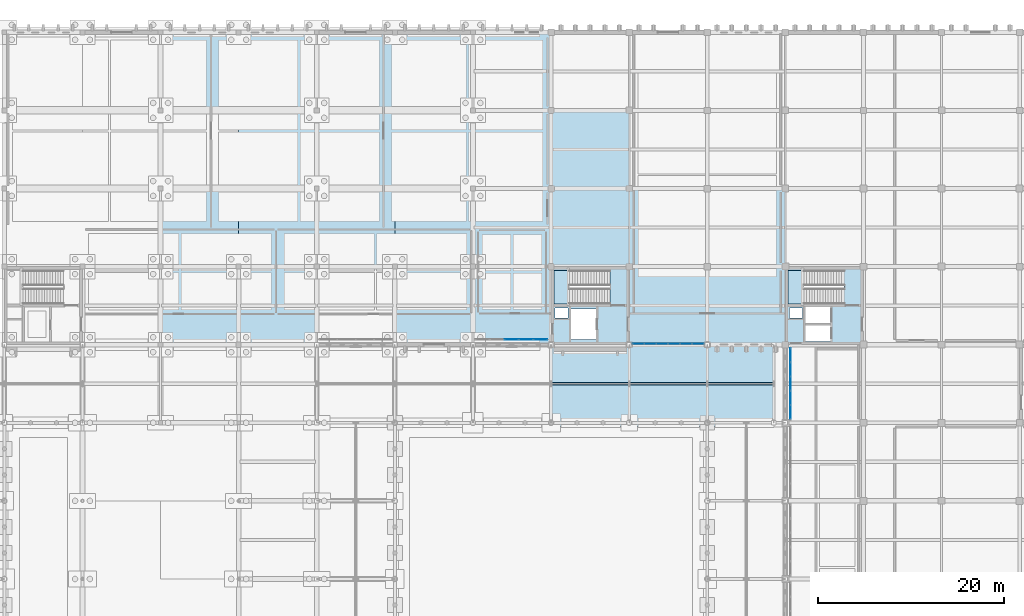
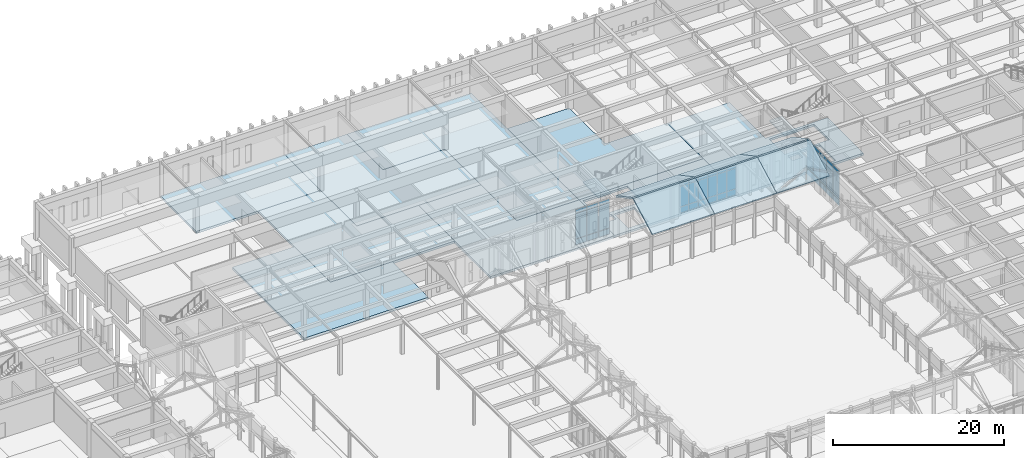
# One storey, part 78 of 143: 42 plates, 17 slabs, 5 elements without a shape of their own.
"""IFC4 building model written with IfcOpenShell, lengths in metres."""

from ifc_helpers import new_model, si_unit, direction, frame, origin, origin_2d, place, context, subcontext, project, spatial, polyline, rectangle, outline, extrude, material, layer, layer_set, type_object, element, aggregate, save


model = new_model("IFC4")

# Units and contexts
model_context = context("Model", 3, precision=1e-05, world=origin(), true_north=direction((0.0, 1.0)))
body_context = subcontext(model_context, "Body", "Model", "MODEL_VIEW")
ifc_project = project(units=[si_unit("LENGTHUNIT", "METRE"), si_unit("AREAUNIT", "SQUARE_METRE"), si_unit("VOLUMEUNIT", "CUBIC_METRE"), si_unit("PLANEANGLEUNIT", "RADIAN"), si_unit("MASSUNIT", "GRAM", prefix="KILO")], contexts=[model_context])

# Site, building, storey
site_placement = place(None, origin())
site = spatial("IfcSite", under=ifc_project, at=site_placement, CompositionType="ELEMENT")
building_placement = place(site_placement, origin())
building = spatial("IfcBuilding", under=site, at=building_placement, Name="Kveldsbrygga Polytechnic", CompositionType="ELEMENT")
storey_placement = place(building_placement, origin())
storey = spatial("IfcBuildingStorey", under=building, at=storey_placement, Name="L00", CompositionType="ELEMENT", Elevation=0.0)

# Curtain wall, plates
ifc_material_1 = material(Name="Anodised aluminium AW-6060", Category="aluminium")
ifc_layer_1 = layer(ifc_material_1, 0.18994140625)
ifc_layer_set_1 = layer_set([ifc_layer_1], Name="Anodised aluminium AW-6060")
curtain_wall_type_1 = type_object("IfcCurtainWallType", Name="CW-REFC-G", PredefinedType="USERDEFINED", material=ifc_layer_set_1)
curtain_wall_1_placement = place(storey_placement, origin())
curtain_wall_1 = element("IfcCurtainWall", 1, at=curtain_wall_1_placement, inside=storey, type_object=curtain_wall_type_1, Name="Curtain Wall CW-L00-X-11-10", ObjectType="UNITISED CURTAIN WALL", PredefinedType="USERDEFINED")
ifc_material_2 = material(Name="Insulated triple low-E glass", Category="glass")
ifc_layer_2 = layer(ifc_material_2, 0.035888671875)
ifc_layer_set_2 = layer_set([ifc_layer_2], Name="Insulated triple low-E glass")
plate_type_1 = type_object("IfcPlateType", Name="CW-PAN-VIS36", PredefinedType="CURTAIN_PANEL", material=ifc_layer_set_2)
plate_1_placement = place(storey_placement, frame((96.550048828125, 84.550048828125, 0.06005859375), z_axis=(0.0, 0.0, 1.0), x_axis=(1.0, 0.0, 0.0)))
plate_1 = element("IfcPlate", 2, at=plate_1_placement, type_object=plate_type_1, Name="CW-07 panel 3.1", PredefinedType="CURTAIN_PANEL", context=body_context, shape_type="SweptSolid", body=[
    extrude(rectangle(XDim=1.490966796875, YDim=0.035888671875, at=origin_2d()), origin(), (0.0, 0.0, 1.0), 0.81005859375),
])
plate_2_placement = place(storey_placement, frame((96.550048828125, 84.550048828125, 0.93017578125), z_axis=(0.0, 0.0, 1.0), x_axis=(1.0, 0.0, 0.0)))
plate_2 = element("IfcPlate", 3, at=plate_2_placement, type_object=plate_type_1, Name="CW-07 panel 3.2", PredefinedType="CURTAIN_PANEL", context=body_context, shape_type="SweptSolid", body=[
    extrude(rectangle(XDim=1.490966796875, YDim=0.035888671875, at=origin_2d()), origin(), (0.0, 0.0, 1.0), 3.6298828125),
])
plate_3_placement = place(storey_placement, frame((96.550048828125, 84.550048828125, 4.6201171875), z_axis=(0.0, 0.0, 1.0), x_axis=(1.0, 0.0, 0.0)))
plate_3 = element("IfcPlate", 4, at=plate_3_placement, type_object=plate_type_1, Name="CW-07 panel 3.3", PredefinedType="CURTAIN_PANEL", context=body_context, shape_type="SweptSolid", body=[
    extrude(rectangle(XDim=1.490966796875, YDim=0.035888671875, at=origin_2d()), origin(), (0.0, 0.0, 1.0), 0.4599609375),
])
plate_4_placement = place(storey_placement, frame((98.115966796875, 84.550048828125, 0.06005859375), z_axis=(0.0, 0.0, 1.0), x_axis=(1.0, 0.0, 0.0)))
plate_4 = element("IfcPlate", 5, at=plate_4_placement, type_object=plate_type_1, Name="CW-07 panel 4.1", PredefinedType="CURTAIN_PANEL", context=body_context, shape_type="SweptSolid", body=[
    extrude(rectangle(XDim=1.490966796875, YDim=0.035888671875, at=origin_2d()), origin(), (0.0, 0.0, 1.0), 0.81005859375),
])
plate_5_placement = place(storey_placement, frame((98.115966796875, 84.550048828125, 0.93017578125), z_axis=(0.0, 0.0, 1.0), x_axis=(1.0, 0.0, 0.0)))
plate_5 = element("IfcPlate", 6, at=plate_5_placement, type_object=plate_type_1, Name="CW-07 panel 4.2", PredefinedType="CURTAIN_PANEL", context=body_context, shape_type="SweptSolid", body=[
    extrude(rectangle(XDim=1.490966796875, YDim=0.035888671875, at=origin_2d()), origin(), (0.0, 0.0, 1.0), 3.6298828125),
])
plate_6_placement = place(storey_placement, frame((98.115966796875, 84.550048828125, 4.6201171875), z_axis=(0.0, 0.0, 1.0), x_axis=(1.0, 0.0, 0.0)))
plate_6 = element("IfcPlate", 7, at=plate_6_placement, type_object=plate_type_1, Name="CW-07 panel 4.3", PredefinedType="CURTAIN_PANEL", context=body_context, shape_type="SweptSolid", body=[
    extrude(rectangle(XDim=1.490966796875, YDim=0.035888671875, at=origin_2d()), origin(), (0.0, 0.0, 1.0), 0.4599609375),
])
plate_7_placement = place(storey_placement, frame((99.663330078125, 84.550048828125, 0.06005859375), z_axis=(0.0, 0.0, 1.0), x_axis=(1.0, 0.0, 0.0)))
plate_7 = element("IfcPlate", 8, at=plate_7_placement, type_object=plate_type_1, Name="CW-07 panel 5.1", PredefinedType="CURTAIN_PANEL", context=body_context, shape_type="SweptSolid", body=[
    extrude(rectangle(XDim=1.45361328125, YDim=0.035888671875, at=origin_2d()), origin(), (0.0, 0.0, 1.0), 0.81005859375),
])
plate_8_placement = place(storey_placement, frame((99.663330078125, 84.550048828125, 0.93017578125), z_axis=(0.0, 0.0, 1.0), x_axis=(1.0, 0.0, 0.0)))
plate_8 = element("IfcPlate", 9, at=plate_8_placement, type_object=plate_type_1, Name="CW-07 panel 5.2", PredefinedType="CURTAIN_PANEL", context=body_context, shape_type="SweptSolid", body=[
    extrude(rectangle(XDim=1.45361328125, YDim=0.035888671875, at=origin_2d()), origin(), (0.0, 0.0, 1.0), 3.6298828125),
])
plate_9_placement = place(storey_placement, frame((99.663330078125, 84.550048828125, 4.6201171875), z_axis=(0.0, 0.0, 1.0), x_axis=(1.0, 0.0, 0.0)))
plate_9 = element("IfcPlate", 10, at=plate_9_placement, type_object=plate_type_1, Name="CW-07 panel 5.3", PredefinedType="CURTAIN_PANEL", context=body_context, shape_type="SweptSolid", body=[
    extrude(rectangle(XDim=1.45361328125, YDim=0.035888671875, at=origin_2d()), origin(), (0.0, 0.0, 1.0), 0.4599609375),
])
aggregate(curtain_wall_1, [plate_1, plate_2, plate_3, plate_4, plate_5, plate_6, plate_7, plate_8, plate_9])

ifc_layer_3 = layer(ifc_material_1, 0.179931640625)
ifc_layer_set_3 = layer_set([ifc_layer_3], Name="Anodised aluminium AW-6060")
curtain_wall_type_2 = type_object("IfcCurtainWallType", Name="CW-CONC-A", PredefinedType="USERDEFINED", material=ifc_layer_set_3)
curtain_wall_2_placement = place(storey_placement, origin())
curtain_wall_2 = element("IfcCurtainWall", 11, at=curtain_wall_2_placement, inside=storey, type_object=curtain_wall_type_2, Name="Curtain Wall CW-L00-X-13-10", ObjectType="UNITISED CURTAIN WALL", PredefinedType="USERDEFINED")
plate_10_placement = place(storey_placement, frame((110.18505859375, 84.10009765625, 0.06005859375), z_axis=(0.0, 0.0, 1.0), x_axis=(1.0, 0.0, 0.0)))
plate_10 = element("IfcPlate", 12, at=plate_10_placement, type_object=plate_type_1, Name="CW-01 panel 1.1", PredefinedType="CURTAIN_PANEL", context=body_context, shape_type="SweptSolid", body=[
    extrude(rectangle(XDim=1.199951171875, YDim=0.035888671875, at=origin_2d()), origin(), (0.0, 0.0, 1.0), 0.81005859375),
])
plate_11_placement = place(storey_placement, frame((110.18505859375, 84.10009765625, 0.93017578125), z_axis=(0.0, 0.0, 1.0), x_axis=(1.0, 0.0, 0.0)))
plate_11 = element("IfcPlate", 13, at=plate_11_placement, type_object=plate_type_1, Name="CW-01 panel 1.2", PredefinedType="CURTAIN_PANEL", context=body_context, shape_type="SweptSolid", body=[
    extrude(rectangle(XDim=1.199951171875, YDim=0.035888671875, at=origin_2d()), origin(), (0.0, 0.0, 1.0), 2.889892578125),
])
plate_12_placement = place(storey_placement, frame((110.18505859375, 84.10009765625, 3.880126953125), z_axis=(0.0, 0.0, 1.0), x_axis=(1.0, 0.0, 0.0)))
plate_12 = element("IfcPlate", 14, at=plate_12_placement, type_object=plate_type_1, Name="CW-01 panel 1.3", PredefinedType="CURTAIN_PANEL", context=body_context, shape_type="SweptSolid", body=[
    extrude(rectangle(XDim=1.199951171875, YDim=0.035888671875, at=origin_2d()), origin(), (0.0, 0.0, 1.0), 0.4599609375),
])
plate_13_placement = place(storey_placement, frame((111.4599609375, 84.10009765625, 0.06005859375), z_axis=(0.0, 0.0, 1.0), x_axis=(1.0, 0.0, 0.0)))
plate_13 = element("IfcPlate", 15, at=plate_13_placement, type_object=plate_type_1, Name="CW-01 panel 2.1", PredefinedType="CURTAIN_PANEL", context=body_context, shape_type="SweptSolid", body=[
    extrude(rectangle(XDim=1.22998046875, YDim=0.035888671875, at=origin_2d()), origin(), (0.0, 0.0, 1.0), 0.81005859375),
])
plate_14_placement = place(storey_placement, frame((111.4599609375, 84.10009765625, 0.93017578125), z_axis=(0.0, 0.0, 1.0), x_axis=(1.0, 0.0, 0.0)))
plate_14 = element("IfcPlate", 16, at=plate_14_placement, type_object=plate_type_1, Name="CW-01 panel 2.2", PredefinedType="CURTAIN_PANEL", context=body_context, shape_type="SweptSolid", body=[
    extrude(rectangle(XDim=1.22998046875, YDim=0.035888671875, at=origin_2d()), origin(), (0.0, 0.0, 1.0), 2.889892578125),
])
plate_15_placement = place(storey_placement, frame((111.4599609375, 84.10009765625, 3.880126953125), z_axis=(0.0, 0.0, 1.0), x_axis=(1.0, 0.0, 0.0)))
plate_15 = element("IfcPlate", 17, at=plate_15_placement, type_object=plate_type_1, Name="CW-01 panel 2.3", PredefinedType="CURTAIN_PANEL", context=body_context, shape_type="SweptSolid", body=[
    extrude(rectangle(XDim=1.22998046875, YDim=0.035888671875, at=origin_2d()), origin(), (0.0, 0.0, 1.0), 0.4599609375),
])
plate_16_placement = place(storey_placement, frame((112.75, 84.10009765625, 0.06005859375), z_axis=(0.0, 0.0, 1.0), x_axis=(1.0, 0.0, 0.0)))
plate_16 = element("IfcPlate", 18, at=plate_16_placement, type_object=plate_type_1, Name="CW-01 panel 3.1", PredefinedType="CURTAIN_PANEL", context=body_context, shape_type="SweptSolid", body=[
    extrude(rectangle(XDim=1.22998046875, YDim=0.035888671875, at=origin_2d()), origin(), (0.0, 0.0, 1.0), 0.81005859375),
])
plate_17_placement = place(storey_placement, frame((112.75, 84.10009765625, 0.93017578125), z_axis=(0.0, 0.0, 1.0), x_axis=(1.0, 0.0, 0.0)))
plate_17 = element("IfcPlate", 19, at=plate_17_placement, type_object=plate_type_1, Name="CW-01 panel 3.2", PredefinedType="CURTAIN_PANEL", context=body_context, shape_type="SweptSolid", body=[
    extrude(rectangle(XDim=1.22998046875, YDim=0.035888671875, at=origin_2d()), origin(), (0.0, 0.0, 1.0), 2.889892578125),
])
plate_18_placement = place(storey_placement, frame((112.75, 84.10009765625, 3.880126953125), z_axis=(0.0, 0.0, 1.0), x_axis=(1.0, 0.0, 0.0)))
plate_18 = element("IfcPlate", 20, at=plate_18_placement, type_object=plate_type_1, Name="CW-01 panel 3.3", PredefinedType="CURTAIN_PANEL", context=body_context, shape_type="SweptSolid", body=[
    extrude(rectangle(XDim=1.22998046875, YDim=0.035888671875, at=origin_2d()), origin(), (0.0, 0.0, 1.0), 0.4599609375),
])
plate_19_placement = place(storey_placement, frame((114.0400390625, 84.10009765625, 0.06005859375), z_axis=(0.0, 0.0, 1.0), x_axis=(1.0, 0.0, 0.0)))
plate_19 = element("IfcPlate", 21, at=plate_19_placement, type_object=plate_type_1, Name="CW-01 panel 4.1", PredefinedType="CURTAIN_PANEL", context=body_context, shape_type="SweptSolid", body=[
    extrude(rectangle(XDim=1.22998046875, YDim=0.035888671875, at=origin_2d()), origin(), (0.0, 0.0, 1.0), 0.81005859375),
])
plate_20_placement = place(storey_placement, frame((114.0400390625, 84.10009765625, 0.93017578125), z_axis=(0.0, 0.0, 1.0), x_axis=(1.0, 0.0, 0.0)))
plate_20 = element("IfcPlate", 22, at=plate_20_placement, type_object=plate_type_1, Name="CW-01 panel 4.2", PredefinedType="CURTAIN_PANEL", context=body_context, shape_type="SweptSolid", body=[
    extrude(rectangle(XDim=1.22998046875, YDim=0.035888671875, at=origin_2d()), origin(), (0.0, 0.0, 1.0), 2.889892578125),
])
plate_21_placement = place(storey_placement, frame((114.0400390625, 84.10009765625, 3.880126953125), z_axis=(0.0, 0.0, 1.0), x_axis=(1.0, 0.0, 0.0)))
plate_21 = element("IfcPlate", 23, at=plate_21_placement, type_object=plate_type_1, Name="CW-01 panel 4.3", PredefinedType="CURTAIN_PANEL", context=body_context, shape_type="SweptSolid", body=[
    extrude(rectangle(XDim=1.22998046875, YDim=0.035888671875, at=origin_2d()), origin(), (0.0, 0.0, 1.0), 0.4599609375),
])
plate_22_placement = place(storey_placement, frame((115.330078125, 84.10009765625, 0.06005859375), z_axis=(0.0, 0.0, 1.0), x_axis=(1.0, 0.0, 0.0)))
plate_22 = element("IfcPlate", 24, at=plate_22_placement, type_object=plate_type_1, Name="CW-01 panel 5.1", PredefinedType="CURTAIN_PANEL", context=body_context, shape_type="SweptSolid", body=[
    extrude(rectangle(XDim=1.22998046875, YDim=0.035888671875, at=origin_2d()), origin(), (0.0, 0.0, 1.0), 0.81005859375),
])
plate_23_placement = place(storey_placement, frame((115.330078125, 84.10009765625, 0.93017578125), z_axis=(0.0, 0.0, 1.0), x_axis=(1.0, 0.0, 0.0)))
plate_23 = element("IfcPlate", 25, at=plate_23_placement, type_object=plate_type_1, Name="CW-01 panel 5.2", PredefinedType="CURTAIN_PANEL", context=body_context, shape_type="SweptSolid", body=[
    extrude(rectangle(XDim=1.22998046875, YDim=0.035888671875, at=origin_2d()), origin(), (0.0, 0.0, 1.0), 2.889892578125),
])
plate_24_placement = place(storey_placement, frame((115.330078125, 84.10009765625, 3.880126953125), z_axis=(0.0, 0.0, 1.0), x_axis=(1.0, 0.0, 0.0)))
plate_24 = element("IfcPlate", 26, at=plate_24_placement, type_object=plate_type_1, Name="CW-01 panel 5.3", PredefinedType="CURTAIN_PANEL", context=body_context, shape_type="SweptSolid", body=[
    extrude(rectangle(XDim=1.22998046875, YDim=0.035888671875, at=origin_2d()), origin(), (0.0, 0.0, 1.0), 0.4599609375),
])
plate_25_placement = place(storey_placement, frame((116.60498046875, 84.10009765625, 0.06005859375), z_axis=(0.0, 0.0, 1.0), x_axis=(1.0, 0.0, 0.0)))
plate_25 = element("IfcPlate", 27, at=plate_25_placement, type_object=plate_type_1, Name="CW-01 panel 6.1", PredefinedType="CURTAIN_PANEL", context=body_context, shape_type="SweptSolid", body=[
    extrude(rectangle(XDim=1.199951171875, YDim=0.035888671875, at=origin_2d()), origin(), (0.0, 0.0, 1.0), 0.81005859375),
])
plate_26_placement = place(storey_placement, frame((116.60498046875, 84.10009765625, 0.93017578125), z_axis=(0.0, 0.0, 1.0), x_axis=(1.0, 0.0, 0.0)))
plate_26 = element("IfcPlate", 28, at=plate_26_placement, type_object=plate_type_1, Name="CW-01 panel 6.2", PredefinedType="CURTAIN_PANEL", context=body_context, shape_type="SweptSolid", body=[
    extrude(rectangle(XDim=1.199951171875, YDim=0.035888671875, at=origin_2d()), origin(), (0.0, 0.0, 1.0), 2.889892578125),
])
plate_27_placement = place(storey_placement, frame((116.60498046875, 84.10009765625, 3.880126953125), z_axis=(0.0, 0.0, 1.0), x_axis=(1.0, 0.0, 0.0)))
plate_27 = element("IfcPlate", 29, at=plate_27_placement, type_object=plate_type_1, Name="CW-01 panel 6.3", PredefinedType="CURTAIN_PANEL", context=body_context, shape_type="SweptSolid", body=[
    extrude(rectangle(XDim=1.199951171875, YDim=0.035888671875, at=origin_2d()), origin(), (0.0, 0.0, 1.0), 0.4599609375),
])
aggregate(curtain_wall_2, [plate_10, plate_11, plate_12, plate_13, plate_14, plate_15, plate_16, plate_17, plate_18, plate_19, plate_20, plate_21, plate_22, plate_23, plate_24, plate_25, plate_26, plate_27])

ifc_layer_4 = layer(ifc_material_1, 0.199951171875)
ifc_layer_set_4 = layer_set([ifc_layer_4], Name="Anodised aluminium AW-6060")
curtain_wall_type_3 = type_object("IfcCurtainWallType", Name="CW-CONC-B", PredefinedType="USERDEFINED", material=ifc_layer_set_4)
curtain_wall_3_placement = place(storey_placement, origin())
curtain_wall_3 = element("IfcCurtainWall", 30, at=curtain_wall_3_placement, inside=storey, type_object=curtain_wall_type_3, Name="Curtain Wall CW-L00-Y-15-09", ObjectType="UNITISED CURTAIN WALL", PredefinedType="USERDEFINED")
ifc_layer_5 = layer(ifc_material_2, 0.0419921875)
ifc_layer_set_5 = layer_set([ifc_layer_5], Name="Insulated triple low-E glass")
plate_type_2 = type_object("IfcPlateType", Name="CW-PAN-VIS42", PredefinedType="CURTAIN_PANEL", material=ifc_layer_set_5)
plate_28_placement = place(storey_placement, frame((126.550048828125, 76.744384765625, 0.06005859375), z_axis=(0.0, 0.0, 1.0), x_axis=(0.0, 1.0, 0.0)))
plate_28 = element("IfcPlate", 31, at=plate_28_placement, type_object=plate_type_2, Name="CW-02 panel 1.1", PredefinedType="CURTAIN_PANEL", context=body_context, shape_type="SweptSolid", body=[
    extrude(rectangle(XDim=1.448974609375, YDim=0.0419921875, at=origin_2d()), origin(), (0.0, 0.0, 1.0), 0.81005859375),
])
plate_29_placement = place(storey_placement, frame((126.550048828125, 76.744384765625, 0.93017578125), z_axis=(0.0, 0.0, 1.0), x_axis=(0.0, 1.0, 0.0)))
plate_29 = element("IfcPlate", 32, at=plate_29_placement, type_object=plate_type_2, Name="CW-02 panel 1.2", PredefinedType="CURTAIN_PANEL", context=body_context, shape_type="SweptSolid", body=[
    extrude(rectangle(XDim=1.448974609375, YDim=0.0419921875, at=origin_2d()), origin(), (0.0, 0.0, 1.0), 3.6298828125),
])
plate_30_placement = place(storey_placement, frame((126.550048828125, 76.744384765625, 4.6201171875), z_axis=(0.0, 0.0, 1.0), x_axis=(0.0, 1.0, 0.0)))
plate_30 = element("IfcPlate", 33, at=plate_30_placement, type_object=plate_type_2, Name="CW-02 panel 1.3", PredefinedType="CURTAIN_PANEL", context=body_context, shape_type="SweptSolid", body=[
    extrude(rectangle(XDim=1.448974609375, YDim=0.0419921875, at=origin_2d()), origin(), (0.0, 0.0, 1.0), 0.4599609375),
])
plate_31_placement = place(storey_placement, frame((126.550048828125, 78.2685546875, 0.06005859375), z_axis=(0.0, 0.0, 1.0), x_axis=(0.0, 1.0, 0.0)))
plate_31 = element("IfcPlate", 34, at=plate_31_placement, type_object=plate_type_2, Name="CW-02 panel 2.1", PredefinedType="CURTAIN_PANEL", context=body_context, shape_type="SweptSolid", body=[
    extrude(rectangle(XDim=1.47900390625, YDim=0.0419921875, at=origin_2d()), origin(), (0.0, 0.0, 1.0), 0.81005859375),
])
plate_32_placement = place(storey_placement, frame((126.550048828125, 78.2685546875, 0.93017578125), z_axis=(0.0, 0.0, 1.0), x_axis=(0.0, 1.0, 0.0)))
plate_32 = element("IfcPlate", 35, at=plate_32_placement, type_object=plate_type_2, Name="CW-02 panel 2.2", PredefinedType="CURTAIN_PANEL", context=body_context, shape_type="SweptSolid", body=[
    extrude(rectangle(XDim=1.47900390625, YDim=0.0419921875, at=origin_2d()), origin(), (0.0, 0.0, 1.0), 3.6298828125),
])
plate_33_placement = place(storey_placement, frame((126.550048828125, 78.2685546875, 4.6201171875), z_axis=(0.0, 0.0, 1.0), x_axis=(0.0, 1.0, 0.0)))
plate_33 = element("IfcPlate", 36, at=plate_33_placement, type_object=plate_type_2, Name="CW-02 panel 2.3", PredefinedType="CURTAIN_PANEL", context=body_context, shape_type="SweptSolid", body=[
    extrude(rectangle(XDim=1.47900390625, YDim=0.0419921875, at=origin_2d()), origin(), (0.0, 0.0, 1.0), 0.4599609375),
])
plate_34_placement = place(storey_placement, frame((126.550048828125, 79.8076171875, 0.06005859375), z_axis=(0.0, 0.0, 1.0), x_axis=(0.0, 1.0, 0.0)))
plate_34 = element("IfcPlate", 37, at=plate_34_placement, type_object=plate_type_2, Name="CW-02 panel 3.1", PredefinedType="CURTAIN_PANEL", context=body_context, shape_type="SweptSolid", body=[
    extrude(rectangle(XDim=1.47900390625, YDim=0.0419921875, at=origin_2d()), origin(), (0.0, 0.0, 1.0), 0.81005859375),
])
plate_35_placement = place(storey_placement, frame((126.550048828125, 79.8076171875, 0.93017578125), z_axis=(0.0, 0.0, 1.0), x_axis=(0.0, 1.0, 0.0)))
plate_35 = element("IfcPlate", 38, at=plate_35_placement, type_object=plate_type_2, Name="CW-02 panel 3.2", PredefinedType="CURTAIN_PANEL", context=body_context, shape_type="SweptSolid", body=[
    extrude(rectangle(XDim=1.47900390625, YDim=0.0419921875, at=origin_2d()), origin(), (0.0, 0.0, 1.0), 3.6298828125),
])
plate_36_placement = place(storey_placement, frame((126.550048828125, 79.8076171875, 4.6201171875), z_axis=(0.0, 0.0, 1.0), x_axis=(0.0, 1.0, 0.0)))
plate_36 = element("IfcPlate", 39, at=plate_36_placement, type_object=plate_type_2, Name="CW-02 panel 3.3", PredefinedType="CURTAIN_PANEL", context=body_context, shape_type="SweptSolid", body=[
    extrude(rectangle(XDim=1.47900390625, YDim=0.0419921875, at=origin_2d()), origin(), (0.0, 0.0, 1.0), 0.4599609375),
])
plate_37_placement = place(storey_placement, frame((126.550048828125, 81.346435546875, 0.06005859375), z_axis=(0.0, 0.0, 1.0), x_axis=(0.0, 1.0, 0.0)))
plate_37 = element("IfcPlate", 40, at=plate_37_placement, type_object=plate_type_2, Name="CW-02 panel 4.1", PredefinedType="CURTAIN_PANEL", context=body_context, shape_type="SweptSolid", body=[
    extrude(rectangle(XDim=1.47900390625, YDim=0.0419921875, at=origin_2d()), origin(), (0.0, 0.0, 1.0), 0.81005859375),
])
plate_38_placement = place(storey_placement, frame((126.550048828125, 81.346435546875, 0.93017578125), z_axis=(0.0, 0.0, 1.0), x_axis=(0.0, 1.0, 0.0)))
plate_38 = element("IfcPlate", 41, at=plate_38_placement, type_object=plate_type_2, Name="CW-02 panel 4.2", PredefinedType="CURTAIN_PANEL", context=body_context, shape_type="SweptSolid", body=[
    extrude(rectangle(XDim=1.47900390625, YDim=0.0419921875, at=origin_2d()), origin(), (0.0, 0.0, 1.0), 3.6298828125),
])
plate_39_placement = place(storey_placement, frame((126.550048828125, 81.346435546875, 4.6201171875), z_axis=(0.0, 0.0, 1.0), x_axis=(0.0, 1.0, 0.0)))
plate_39 = element("IfcPlate", 42, at=plate_39_placement, type_object=plate_type_2, Name="CW-02 panel 4.3", PredefinedType="CURTAIN_PANEL", context=body_context, shape_type="SweptSolid", body=[
    extrude(rectangle(XDim=1.47900390625, YDim=0.0419921875, at=origin_2d()), origin(), (0.0, 0.0, 1.0), 0.4599609375),
])
plate_40_placement = place(storey_placement, frame((126.550048828125, 82.87060546875, 0.06005859375), z_axis=(0.0, 0.0, 1.0), x_axis=(0.0, 1.0, 0.0)))
plate_40 = element("IfcPlate", 43, at=plate_40_placement, type_object=plate_type_2, Name="CW-02 panel 5.1", PredefinedType="CURTAIN_PANEL", context=body_context, shape_type="SweptSolid", body=[
    extrude(rectangle(XDim=1.448974609375, YDim=0.0419921875, at=origin_2d()), origin(), (0.0, 0.0, 1.0), 0.81005859375),
])
plate_41_placement = place(storey_placement, frame((126.550048828125, 82.87060546875, 0.93017578125), z_axis=(0.0, 0.0, 1.0), x_axis=(0.0, 1.0, 0.0)))
plate_41 = element("IfcPlate", 44, at=plate_41_placement, type_object=plate_type_2, Name="CW-02 panel 5.2", PredefinedType="CURTAIN_PANEL", context=body_context, shape_type="SweptSolid", body=[
    extrude(rectangle(XDim=1.448974609375, YDim=0.0419921875, at=origin_2d()), origin(), (0.0, 0.0, 1.0), 3.6298828125),
])
plate_42_placement = place(storey_placement, frame((126.550048828125, 82.87060546875, 4.6201171875), z_axis=(0.0, 0.0, 1.0), x_axis=(0.0, 1.0, 0.0)))
plate_42 = element("IfcPlate", 45, at=plate_42_placement, type_object=plate_type_2, Name="CW-02 panel 5.3", PredefinedType="CURTAIN_PANEL", context=body_context, shape_type="SweptSolid", body=[
    extrude(rectangle(XDim=1.448974609375, YDim=0.0419921875, at=origin_2d()), origin(), (0.0, 0.0, 1.0), 0.4599609375),
])
aggregate(curtain_wall_3, [plate_28, plate_29, plate_30, plate_31, plate_32, plate_33, plate_34, plate_35, plate_36, plate_37, plate_38, plate_39, plate_40, plate_41, plate_42])

# Slabs
ifc_material_3 = material(Name="Concrete C35/45", Category="concrete")
ifc_layer_6 = layer(ifc_material_3, 0.320068359375)
ifc_layer_set_6 = layer_set([ifc_layer_6], Name="Concrete C35/45")
slab_type_1 = type_object("IfcSlabType", Name="SLB-GND-320", PredefinedType="FLOOR", material=ifc_layer_set_6)
slab_1_placement = place(storey_placement, frame((0.0, 0.0, -0.320068359375)))
element("IfcSlab", 46, at=slab_1_placement, inside=storey, type_object=slab_type_1, Name="Slab SLB-L00-V2-L03-1", PredefinedType="FLOOR", context=body_context, shape_type="SweptSolid", body=[
    extrude(outline(polyline([(58.800048828125, 84.0), (58.800048828125, 92.39990234375), (58.800048828125, 100.800048828125), (67.199951171875, 100.800048828125), (67.199951171875, 92.39990234375), (75.60009765625, 92.39990234375), (75.60009765625, 84.0), (67.199951171875, 84.0), (58.800048828125, 84.0)])), origin(), (0.0, 0.0, 1.0), 0.320068359375),
])
slab_2_placement = place(storey_placement, frame((0.0, 0.0, -0.320068359375)))
element("IfcSlab", 47, at=slab_2_placement, inside=storey, type_object=slab_type_1, Name="Slab SLB-L00-V2-L04-1", PredefinedType="FLOOR", context=body_context, shape_type="SweptSolid", body=[
    extrude(outline(polyline([(67.199951171875, 92.39990234375), (67.199951171875, 100.800048828125), (67.199951171875, 109.199951171875), (75.60009765625, 109.199951171875), (75.60009765625, 100.800048828125), (84.0, 100.800048828125), (84.0, 92.39990234375), (75.60009765625, 92.39990234375), (67.199951171875, 92.39990234375)])), origin(), (0.0, 0.0, 1.0), 0.320068359375),
])
slab_3_placement = place(storey_placement, frame((0.0, 0.0, -0.320068359375)))
element("IfcSlab", 48, at=slab_3_placement, inside=storey, type_object=slab_type_1, Name="Slab SLB-L00-V2-L05-1", PredefinedType="FLOOR", context=body_context, shape_type="SweptSolid", body=[
    extrude(outline(polyline([(75.60009765625, 100.800048828125), (75.60009765625, 109.199951171875), (75.60009765625, 117.60009765625), (84.0, 117.60009765625), (84.0, 109.199951171875), (92.39990234375, 109.199951171875), (92.39990234375, 100.800048828125), (84.0, 100.800048828125), (75.60009765625, 100.800048828125)])), origin(), (0.0, 0.0, 1.0), 0.320068359375),
])
slab_4_placement = place(storey_placement, frame((0.0, 0.0, -0.320068359375)))
element("IfcSlab", 49, at=slab_4_placement, inside=storey, type_object=slab_type_1, Name="Slab SLB-L00-V2-L06-1", PredefinedType="FLOOR", context=body_context, shape_type="SweptSolid", body=[
    extrude(outline(polyline([(84.0, 84.0), (84.0, 92.39990234375), (84.0, 100.800048828125), (92.39990234375, 100.800048828125), (92.39990234375, 92.39990234375), (100.800048828125, 92.39990234375), (100.800048828125, 84.0), (92.39990234375, 84.0), (84.0, 84.0)])), origin(), (0.0, 0.0, 1.0), 0.320068359375),
])
slab_5_placement = place(storey_placement, frame((0.0, 0.0, -0.320068359375)))
element("IfcSlab", 50, at=slab_5_placement, inside=storey, type_object=slab_type_1, Name="Slab SLB-L00-V2-Z8-2", PredefinedType="FLOOR", context=body_context, shape_type="SweptSolid", body=[
    extrude(outline(polyline([(92.39990234375, 100.800048828125), (92.39990234375, 109.199951171875), (84.0, 109.199951171875), (84.0, 117.60009765625), (92.39990234375, 117.60009765625), (100.800048828125, 117.60009765625), (100.800048828125, 109.199951171875), (100.800048828125, 100.800048828125), (100.800048828125, 92.39990234375), (92.39990234375, 92.39990234375), (92.39990234375, 100.800048828125)])), origin(), (0.0, 0.0, 1.0), 0.320068359375),
])
slab_6_placement = place(storey_placement, frame((0.0, 0.0, -0.320068359375)))
element("IfcSlab", 51, at=slab_6_placement, inside=storey, type_object=slab_type_1, Name="Slab SLB-L00-V2-Z8-3", PredefinedType="FLOOR", context=body_context, shape_type="SweptSolid", body=[
    extrude(outline(polyline([(67.199951171875, 117.60009765625), (75.60009765625, 117.60009765625), (75.60009765625, 109.199951171875), (67.199951171875, 109.199951171875), (58.800048828125, 109.199951171875), (58.800048828125, 117.60009765625), (67.199951171875, 117.60009765625)])), origin(), (0.0, 0.0, 1.0), 0.320068359375),
])
ifc_layer_7 = layer(ifc_material_3, 0.300048828125)
ifc_layer_set_7 = layer_set([ifc_layer_7], Name="Concrete C35/45")
slab_type_2 = type_object("IfcSlabType", Name="SLB-LAB-300", PredefinedType="FLOOR", material=ifc_layer_set_7)
slab_7_placement = place(storey_placement, frame((0.0, 0.0, -0.300048828125)))
element("IfcSlab", 52, at=slab_7_placement, inside=storey, type_object=slab_type_2, Name="Slab SLB-L00-V4-L01-1", PredefinedType="FLOOR", context=body_context, shape_type="SweptSolid", body=[
    extrude(outline(polyline([(100.800048828125, 92.39990234375), (100.800048828125, 100.800048828125), (100.800048828125, 109.199951171875), (109.199951171875, 109.199951171875), (109.199951171875, 100.800048828125), (117.60009765625, 100.800048828125), (117.60009765625, 92.39990234375), (109.199951171875, 92.39990234375), (100.800048828125, 92.39990234375)])), origin(), (0.0, 0.0, 1.0), 0.300048828125),
])
slab_8_placement = place(storey_placement, frame((0.0, 0.0, -0.300048828125)))
element("IfcSlab", 53, at=slab_8_placement, inside=storey, type_object=slab_type_2, Name="Slab SLB-L00-V4-Z8-1", PredefinedType="FLOOR", context=body_context, shape_type="SweptSolid", body=[
    extrude(outline(polyline([(100.800048828125, 84.0), (100.800048828125, 92.39990234375), (109.199951171875, 92.39990234375), (117.60009765625, 92.39990234375), (117.60009765625, 84.0), (109.199951171875, 84.0), (100.800048828125, 84.0)]), holes=[polyline([(107.125, 92.0), (101.10009765625, 92.0), (101.10009765625, 88.39990234375), (107.125, 88.39990234375), (107.125, 92.0)]), polyline([(102.949951171875, 84.550048828125), (105.64990234375, 84.550048828125), (105.64990234375, 87.85009765625), (102.949951171875, 87.85009765625), (102.949951171875, 84.550048828125)]), polyline([(101.25, 86.85009765625), (102.64990234375, 86.85009765625), (102.64990234375, 87.949951171875), (101.25, 87.949951171875), (101.25, 86.85009765625)])]), origin(), (0.0, 0.0, 1.0), 0.300048828125),
])
slab_9_placement = place(storey_placement, frame((0.0, 0.0, -0.300048828125)))
element("IfcSlab", 54, at=slab_9_placement, inside=storey, type_object=slab_type_2, Name="Slab SLB-L00-V4-Z9-1", PredefinedType="FLOOR", context=body_context, shape_type="SweptSolid", body=[
    extrude(outline(polyline([(117.60009765625, 100.800048828125), (126.0, 100.800048828125), (126.0, 92.39990234375), (134.39990234375, 92.39990234375), (134.39990234375, 84.0), (126.0, 84.0), (117.60009765625, 84.0), (117.60009765625, 92.39990234375), (117.60009765625, 100.800048828125)]), holes=[polyline([(132.324951171875, 92.0), (126.300048828125, 92.0), (126.300048828125, 88.39990234375), (132.324951171875, 88.39990234375), (132.324951171875, 92.0)]), polyline([(128.14990234375, 84.35009765625), (130.85009765625, 84.35009765625), (130.85009765625, 88.050048828125), (128.14990234375, 88.050048828125), (128.14990234375, 84.35009765625)]), polyline([(126.449951171875, 86.85009765625), (127.85009765625, 86.85009765625), (127.85009765625, 87.949951171875), (126.449951171875, 87.949951171875), (126.449951171875, 86.85009765625)])]), origin(), (0.0, 0.0, 1.0), 0.300048828125),
])

# Stair, slab
stair_type = type_object("IfcStairType", Name="STR-CORE-544", PredefinedType="HALF_TURN_STAIR", material=ifc_material_3)
stair_1_placement = place(storey_placement, origin())
stair_1 = element("IfcStair", 55, at=stair_1_placement, inside=storey, type_object=stair_type, Name="L00 Core C2 Escape Stair ST-2", PredefinedType="HALF_TURN_STAIR")
ifc_layer_8 = layer(ifc_material_3, 0.199951171875)
ifc_layer_set_8 = layer_set([ifc_layer_8], Name="Concrete C35/45")
slab_type_3 = type_object("IfcSlabType", Name="SLB-LANDING-200", PredefinedType="LANDING", material=ifc_layer_set_8)
slab_10_placement = place(storey_placement, frame((0.0, 0.0, 2.52001953125)))
slab_10 = element("IfcSlab", 56, at=slab_10_placement, type_object=slab_type_3, Name="ST-2 landing 1", PredefinedType="LANDING", context=body_context, shape_type="SweptSolid", body=[
    extrude(outline(polyline([(128.0, 92.0), (126.300048828125, 92.0), (126.300048828125, 88.39990234375), (128.0, 88.39990234375), (128.0, 92.0)])), origin(), (0.0, 0.0, 1.0), 0.199951171875),
])
aggregate(stair_1, [slab_10])

stair_2_placement = place(storey_placement, origin())
stair_2 = element("IfcStair", 57, at=stair_2_placement, inside=storey, type_object=stair_type, Name="L00 Core C5 Escape Stair ST-5", PredefinedType="HALF_TURN_STAIR")
slab_11_placement = place(storey_placement, frame((0.0, 0.0, 2.52001953125)))
slab_11 = element("IfcSlab", 58, at=slab_11_placement, type_object=slab_type_3, Name="ST-5 landing 1", PredefinedType="LANDING", context=body_context, shape_type="SweptSolid", body=[
    extrude(outline(polyline([(102.800048828125, 92.0), (101.10009765625, 92.0), (101.10009765625, 88.39990234375), (102.800048828125, 88.39990234375), (102.800048828125, 92.0)])), origin(), (0.0, 0.0, 1.0), 0.199951171875),
])
aggregate(stair_2, [slab_11])

# Slabs
ifc_layer_9 = layer(ifc_material_3, 0.219970703125)
ifc_layer_set_9 = layer_set([ifc_layer_9], Name="Concrete C35/45")
slab_type_4 = type_object("IfcSlabType", Name="SLB-ROOF-220", PredefinedType="ROOF", material=ifc_layer_set_9)
slab_12_placement = place(storey_placement, frame((100.800048828125, 75.199951171875, 5.521240234375), z_axis=(0.0, -0.472229417678, 0.881475681502), x_axis=(1.0, 0.0, 0.0)))
element("IfcSlab", 59, at=slab_12_placement, inside=storey, type_object=slab_type_4, Name="Pitched Roof Slab ARC-EN-RSLB-4-1", PredefinedType="ROOF", context=body_context, shape_type="SweptSolid", body=[
    extrude(outline(polyline([(0.0, 0.0), (8.39990234375, 0.0), (8.39990234375, 5.077932735618123), (0.0, 5.077932735618123), (0.0, 0.0)])), origin(), (0.0, 0.0, -1.0), 0.219970703125),
])
slab_13_placement = place(storey_placement, frame((100.800048828125, 79.923828125, 7.919189453125), z_axis=(0.0, 0.472201486297, 0.881490644499), x_axis=(1.0, 0.0, 0.0)))
element("IfcSlab", 60, at=slab_13_placement, inside=storey, type_object=slab_type_4, Name="Pitched Roof Slab ARC-EN-RSLB-4-2", PredefinedType="ROOF", context=body_context, shape_type="SweptSolid", body=[
    extrude(outline(polyline([(0.0, 0.0), (8.39990234375, 0.0), (8.39990234375, 4.420058520973962), (0.0, 4.420058520973962), (0.0, 0.0)])), origin(), (0.0, 0.0, -1.0), 0.219970703125),
])
slab_14_placement = place(storey_placement, frame((109.199951171875, 75.199951171875, 5.521240234375), z_axis=(0.0, -0.472229417678, 0.881475681502), x_axis=(1.0, 0.0, 0.0)))
element("IfcSlab", 61, at=slab_14_placement, inside=storey, type_object=slab_type_4, Name="Pitched Roof Slab ARC-EN-RSLB-5-1", PredefinedType="ROOF", context=body_context, shape_type="SweptSolid", body=[
    extrude(outline(polyline([(0.0, 0.0), (8.400146484375, 0.0), (8.400146484375, 5.077932735618123), (0.0, 5.077932735618123), (0.0, 0.0)])), origin(), (0.0, 0.0, -1.0), 0.219970703125),
])
slab_15_placement = place(storey_placement, frame((109.199951171875, 79.923828125, 7.919189453125), z_axis=(0.0, 0.472201486297, 0.881490644499), x_axis=(1.0, 0.0, 0.0)))
element("IfcSlab", 62, at=slab_15_placement, inside=storey, type_object=slab_type_4, Name="Pitched Roof Slab ARC-EN-RSLB-5-2", PredefinedType="ROOF", context=body_context, shape_type="SweptSolid", body=[
    extrude(outline(polyline([(0.0, 0.0), (8.400146484375, 0.0), (8.400146484375, 4.420058520973962), (0.0, 4.420058520973962), (0.0, 0.0)])), origin(), (0.0, 0.0, -1.0), 0.219970703125),
])
slab_16_placement = place(storey_placement, frame((117.60009765625, 75.199951171875, 5.521240234375), z_axis=(0.0, -0.472229417678, 0.881475681502), x_axis=(1.0, 0.0, 0.0)))
element("IfcSlab", 63, at=slab_16_placement, inside=storey, type_object=slab_type_4, Name="Pitched Roof Slab ARC-EN-RSLB-6-1", PredefinedType="ROOF", context=body_context, shape_type="SweptSolid", body=[
    extrude(outline(polyline([(0.0, 0.0), (7.14990234375, 0.0), (7.14990234375, 5.077932735618123), (0.0, 5.077932735618123), (0.0, 0.0)])), origin(), (0.0, 0.0, -1.0), 0.219970703125),
])
slab_17_placement = place(storey_placement, frame((117.60009765625, 79.923828125, 7.919189453125), z_axis=(0.0, 0.472201486297, 0.881490644499), x_axis=(1.0, 0.0, 0.0)))
element("IfcSlab", 64, at=slab_17_placement, inside=storey, type_object=slab_type_4, Name="Pitched Roof Slab ARC-EN-RSLB-6-2", PredefinedType="ROOF", context=body_context, shape_type="SweptSolid", body=[
    extrude(outline(polyline([(0.0, 0.0), (7.14990234375, 0.0), (7.14990234375, 4.420058520973963), (0.0, 4.420058520973963), (0.0, 0.0)])), origin(), (0.0, 0.0, -1.0), 0.219970703125),
])

save(model, "model.ifc")
